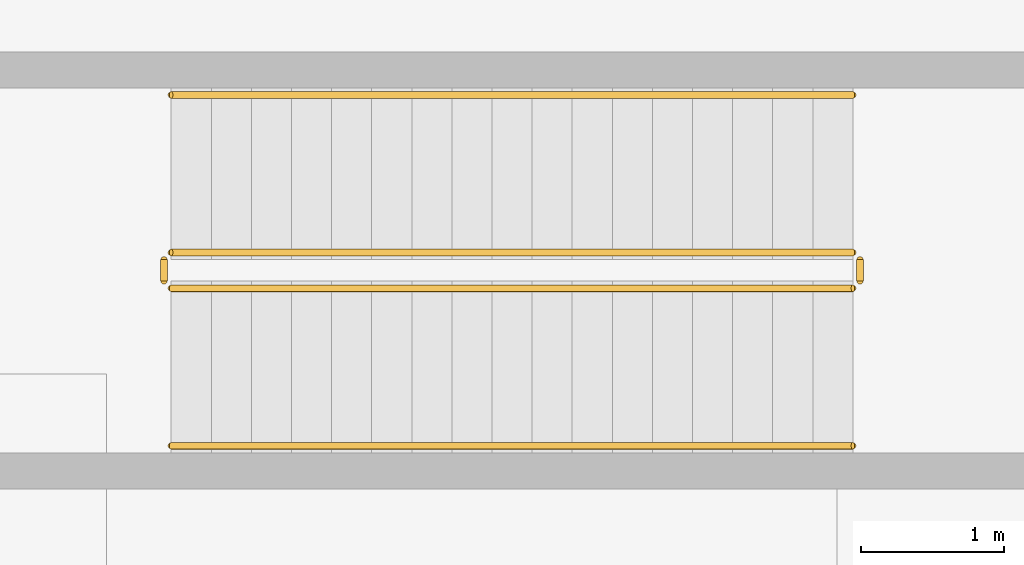
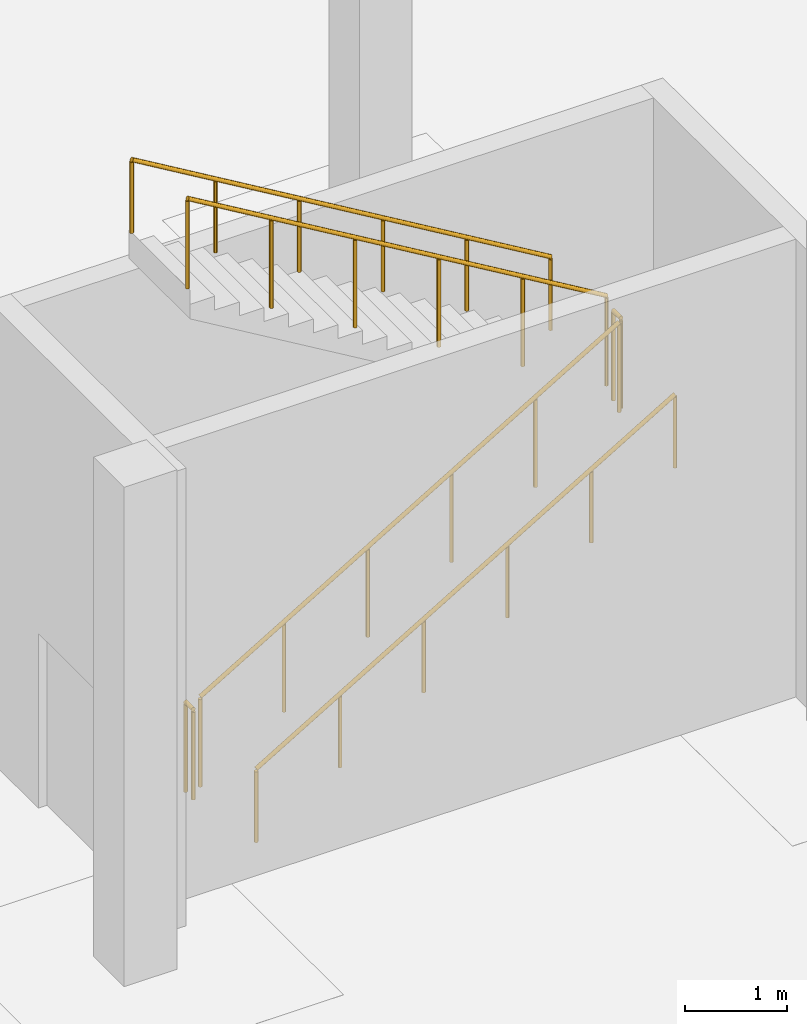
# One storey, part 28 of 39: 6 railings.
"""IFC4 building model written with IfcOpenShell, lengths in metres."""

from ifc_helpers import new_model, si_unit, direction, frame, origin, origin_2d, place, context, subcontext, project, spatial, circle, extrude, material, type_object, element, save


model = new_model("IFC4")

# Units and contexts
model_context = context("Model", 3, precision=1e-05, world=origin(), true_north=direction((0.0, 1.0)))
body_context = subcontext(model_context, "Body", "Model", "MODEL_VIEW")
ifc_project = project(units=[si_unit("LENGTHUNIT", "METRE"), si_unit("AREAUNIT", "SQUARE_METRE"), si_unit("VOLUMEUNIT", "CUBIC_METRE"), si_unit("PLANEANGLEUNIT", "RADIAN"), si_unit("MASSUNIT", "GRAM", prefix="KILO")], contexts=[model_context])

# Site, building, storey
site_placement = place(None, origin())
site = spatial("IfcSite", under=ifc_project, at=site_placement, CompositionType="ELEMENT")
building_placement = place(site_placement, origin())
building = spatial("IfcBuilding", under=site, at=building_placement, Name="Tamorin Gate", CompositionType="ELEMENT")
storey_placement = place(building_placement, frame((0.0, 0.0, -12.0)))
storey = spatial("IfcBuildingStorey", under=building, at=storey_placement, Name="B2", CompositionType="ELEMENT", Elevation=-12.0)

# Railings
ifc_material = material(Name="Steel, galvanised", Category="steel")
railing_type_1 = type_object("IfcRailingType", Name="Steel guard 1100", PredefinedType="GUARDRAIL", material=ifc_material)
railing_1_placement = place(storey_placement, frame((132.35009765625, 15.39990234375, 0.166748046875)))
element("IfcRailing", 1, at=railing_1_placement, inside=storey, type_object=railing_type_1, Name="B2 SB6 stair guard 1", PredefinedType="GUARDRAIL", context=body_context, shape_type="SweptSolid", body=[
    extrude(circle(Radius=0.02392578125, at=origin_2d()), frame((0.0, 0.0, 1.076171875), z_axis=(0.859299802514, 0.0, 0.511472237174), x_axis=(0.0, 1.0, 0.0)), (0.0, 0.0, 1.0), 5.539306640625),
    extrude(circle(Radius=0.02099609375, at=origin_2d()), origin(), (0.0, 0.0, 1.0), 1.052001953125),
    extrude(circle(Radius=0.02099609375, at=origin_2d()), frame((0.951904296875, 0.0, 0.566650390625)), (0.0, 0.0, 1.0), 1.052001953125),
    extrude(circle(Radius=0.02099609375, at=origin_2d()), frame((1.904052734375, 0.0, 1.13330078125)), (0.0, 0.0, 1.0), 1.052001953125),
    extrude(circle(Radius=0.02099609375, at=origin_2d()), frame((2.85595703125, 0.0, 1.699951171875)), (0.0, 0.0, 1.0), 1.052001953125),
    extrude(circle(Radius=0.02099609375, at=origin_2d()), frame((3.80810546875, 0.0, 2.2666015625)), (0.0, 0.0, 1.0), 1.052001953125),
    extrude(circle(Radius=0.02099609375, at=origin_2d()), frame((4.760009765625, 0.0, 2.833251953125)), (0.0, 0.0, 1.0), 1.052001953125),
])
railing_2_placement = place(storey_placement, frame((137.159912109375, 15.449951171875, 3.0)))
element("IfcRailing", 2, at=railing_2_placement, inside=storey, type_object=railing_type_1, Name="B2 SB6 stair guard 2", PredefinedType="GUARDRAIL", context=body_context, shape_type="SweptSolid", body=[
    extrude(circle(Radius=0.02392578125, at=origin_2d()), frame((0.0, 0.0, 1.076171875), z_axis=(0.0, 1.0, 0.0), x_axis=(-1.0, 0.0, 0.0)), (0.0, 0.0, 1.0), 0.150146484375),
    extrude(circle(Radius=0.02099609375, at=origin_2d()), origin(), (0.0, 0.0, 1.0), 1.052001953125),
    extrude(circle(Radius=0.02099609375, at=origin_2d()), frame((0.0, 0.150146484375, 0.0)), (0.0, 0.0, 1.0), 1.052001953125),
])
railing_3_placement = place(storey_placement, frame((137.110107421875, 15.64990234375, 3.166748046875)))
element("IfcRailing", 3, at=railing_3_placement, inside=storey, type_object=railing_type_1, Name="B2 SB6 stair guard 3", PredefinedType="GUARDRAIL", context=body_context, shape_type="SweptSolid", body=[
    extrude(circle(Radius=0.02392578125, at=origin_2d()), frame((0.0, 0.0, 1.076171875), z_axis=(-0.859299802514, 0.0, 0.511472237174), x_axis=(0.0, -1.0, 0.0)), (0.0, 0.0, 1.0), 5.539306640625),
    extrude(circle(Radius=0.02099609375, at=origin_2d()), origin(), (0.0, 0.0, 1.0), 1.052001953125),
    extrude(circle(Radius=0.02099609375, at=origin_2d()), frame((-0.951904296875, 0.0, 0.566650390625)), (0.0, 0.0, 1.0), 1.052001953125),
    extrude(circle(Radius=0.02099609375, at=origin_2d()), frame((-1.904052734375, 0.0, 1.13330078125)), (0.0, 0.0, 1.0), 1.052001953125),
    extrude(circle(Radius=0.02099609375, at=origin_2d()), frame((-2.85595703125, 0.0, 1.699951171875)), (0.0, 0.0, 1.0), 1.052001953125),
    extrude(circle(Radius=0.02099609375, at=origin_2d()), frame((-3.80810546875, 0.0, 2.2666015625)), (0.0, 0.0, 1.0), 1.052001953125),
    extrude(circle(Radius=0.02099609375, at=origin_2d()), frame((-4.760009765625, 0.0, 2.833251953125)), (0.0, 0.0, 1.0), 1.052001953125),
])
railing_4_placement = place(storey_placement, frame((132.300048828125, 15.449951171875, 0.0)))
element("IfcRailing", 4, at=railing_4_placement, inside=storey, type_object=railing_type_1, Name="B2 SB6 stair guard 4", PredefinedType="GUARDRAIL", context=body_context, shape_type="SweptSolid", body=[
    extrude(circle(Radius=0.02392578125, at=origin_2d()), frame((0.0, 0.0, 1.076171875), z_axis=(0.0, 1.0, 0.0), x_axis=(-1.0, 0.0, 0.0)), (0.0, 0.0, 1.0), 0.150146484375),
    extrude(circle(Radius=0.02099609375, at=origin_2d()), origin(), (0.0, 0.0, 1.0), 1.052001953125),
    extrude(circle(Radius=0.02099609375, at=origin_2d()), frame((0.0, 0.150146484375, 0.0)), (0.0, 0.0, 1.0), 1.052001953125),
])
railing_type_2 = type_object("IfcRailingType", Name="Steel handrail 900", PredefinedType="HANDRAIL", material=ifc_material)
railing_5_placement = place(storey_placement, frame((132.35009765625, 14.300048828125, 0.166748046875)))
element("IfcRailing", 5, at=railing_5_placement, inside=storey, type_object=railing_type_2, Name="B2 SB6 stair handrail 1", PredefinedType="HANDRAIL", context=body_context, shape_type="SweptSolid", body=[
    extrude(circle(Radius=0.02392578125, at=origin_2d()), frame((0.0, 0.0, 0.8759765625), z_axis=(0.859299802514, 0.0, 0.511472237174), x_axis=(0.0, 1.0, 0.0)), (0.0, 0.0, 1.0), 5.539306640625),
    extrude(circle(Radius=0.02099609375, at=origin_2d()), origin(), (0.0, 0.0, 1.0), 0.851806640625),
    extrude(circle(Radius=0.02099609375, at=origin_2d()), frame((0.951904296875, 0.0, 0.566650390625)), (0.0, 0.0, 1.0), 0.851806640625),
    extrude(circle(Radius=0.02099609375, at=origin_2d()), frame((1.904052734375, 0.0, 1.13330078125)), (0.0, 0.0, 1.0), 0.851806640625),
    extrude(circle(Radius=0.02099609375, at=origin_2d()), frame((2.85595703125, 0.0, 1.699951171875)), (0.0, 0.0, 1.0), 0.851806640625),
    extrude(circle(Radius=0.02099609375, at=origin_2d()), frame((3.80810546875, 0.0, 2.2666015625)), (0.0, 0.0, 1.0), 0.851806640625),
    extrude(circle(Radius=0.02099609375, at=origin_2d()), frame((4.760009765625, 0.0, 2.833251953125)), (0.0, 0.0, 1.0), 0.851806640625),
])
railing_6_placement = place(storey_placement, frame((137.110107421875, 16.75, 3.166748046875)))
element("IfcRailing", 6, at=railing_6_placement, inside=storey, type_object=railing_type_2, Name="B2 SB6 stair handrail 2", PredefinedType="HANDRAIL", context=body_context, shape_type="SweptSolid", body=[
    extrude(circle(Radius=0.02392578125, at=origin_2d()), frame((0.0, 0.0, 0.8759765625), z_axis=(-0.859299802514, 0.0, 0.511472237174), x_axis=(0.0, -1.0, 0.0)), (0.0, 0.0, 1.0), 5.539306640625),
    extrude(circle(Radius=0.02099609375, at=origin_2d()), origin(), (0.0, 0.0, 1.0), 0.851806640625),
    extrude(circle(Radius=0.02099609375, at=origin_2d()), frame((-0.951904296875, 0.0, 0.566650390625)), (0.0, 0.0, 1.0), 0.851806640625),
    extrude(circle(Radius=0.02099609375, at=origin_2d()), frame((-1.904052734375, 0.0, 1.13330078125)), (0.0, 0.0, 1.0), 0.851806640625),
    extrude(circle(Radius=0.02099609375, at=origin_2d()), frame((-2.85595703125, 0.0, 1.699951171875)), (0.0, 0.0, 1.0), 0.851806640625),
    extrude(circle(Radius=0.02099609375, at=origin_2d()), frame((-3.80810546875, 0.0, 2.2666015625)), (0.0, 0.0, 1.0), 0.851806640625),
    extrude(circle(Radius=0.02099609375, at=origin_2d()), frame((-4.760009765625, 0.0, 2.833251953125)), (0.0, 0.0, 1.0), 0.851806640625),
])

save(model, "model.ifc")
